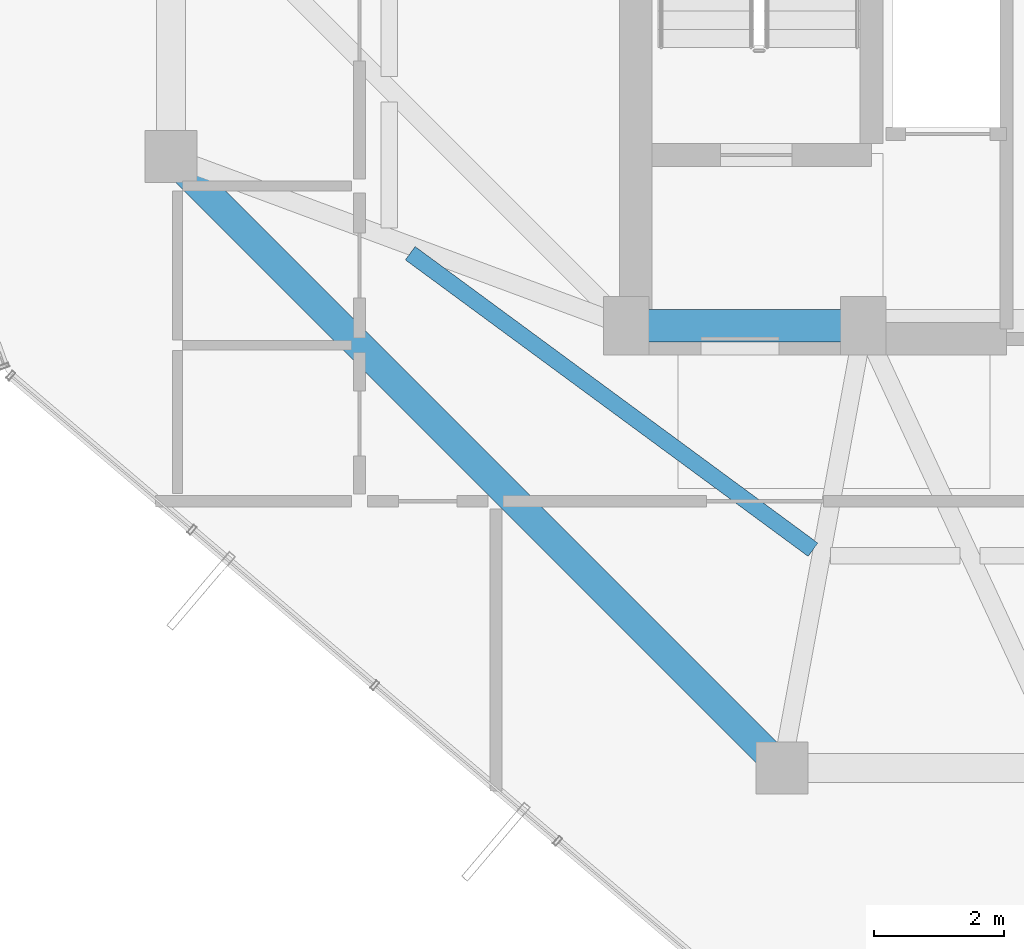
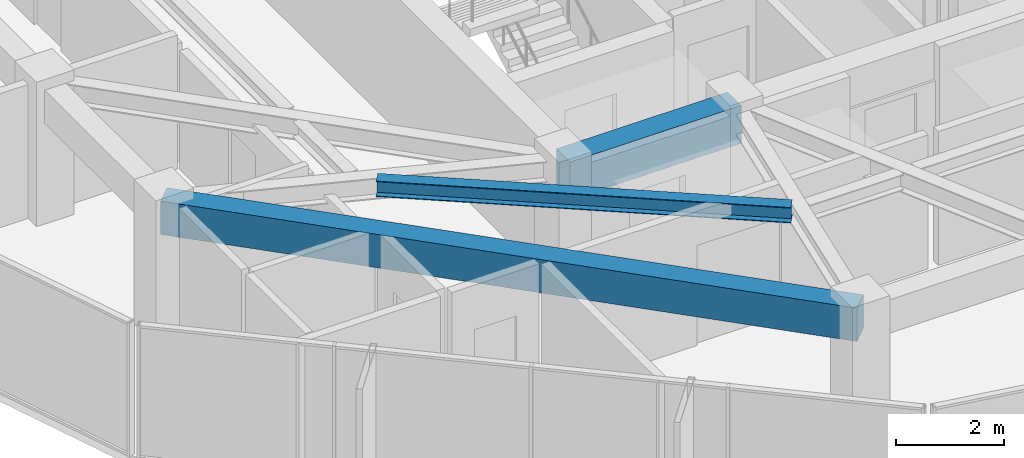
# One storey, part 7 of 29: 3 beams.
"""IFC4 building model written with IfcOpenShell, lengths in metres."""

from ifc_helpers import new_model, si_unit, direction, frame, origin, origin_2d, place, context, subcontext, project, spatial, rectangle, i_section, extrude, material, material_profile, profile_set, type_object, element, save


model = new_model("IFC4")

# Units and contexts
model_context = context("Model", 3, precision=1e-05, world=origin(), true_north=direction((0.0, 1.0)))
body_context = subcontext(model_context, "Body", "Model", "MODEL_VIEW")
ifc_project = project(units=[si_unit("LENGTHUNIT", "METRE"), si_unit("AREAUNIT", "SQUARE_METRE"), si_unit("VOLUMEUNIT", "CUBIC_METRE"), si_unit("PLANEANGLEUNIT", "RADIAN"), si_unit("MASSUNIT", "GRAM", prefix="KILO")], contexts=[model_context])

# Site, building, storey
site_placement = place(None, origin())
site = spatial("IfcSite", under=ifc_project, at=site_placement, CompositionType="ELEMENT")
building_placement = place(site_placement, origin())
building = spatial("IfcBuilding", under=site, at=building_placement, Name="Veraguas Prism Commons", CompositionType="ELEMENT")
storey_placement = place(building_placement, frame((0.0, 0.0, 244.75)))
storey = spatial("IfcBuildingStorey", under=building, at=storey_placement, Name="L69", CompositionType="ELEMENT", Elevation=244.75)

# Beams
ifc_material_1 = material(Name="Concrete C50/60", Category="concrete")
ifc_material_profile_1 = material_profile(ifc_material_1, rectangle(XDim=0.5, YDim=0.85009765625, at=origin_2d()), Name="RC500X850")
ifc_profile_set_1 = profile_set([ifc_material_profile_1], Name="Concrete C50/60")
beam_type_1 = type_object("IfcBeamType", Name="Core Coupling Beam RC 500x850", PredefinedType="BEAM", material=ifc_profile_set_1)
beam_1_placement = place(storey_placement, frame((17.199951171875, 17.0, 2.590087890625), z_axis=(1.0, 0.0, 0.0), x_axis=(0.0, 1.0, 0.0)))
element("IfcBeam", 1, at=beam_1_placement, inside=storey, type_object=beam_type_1, Name="Core Coupling Beam L69-CRS1", PredefinedType="BEAM", context=body_context, shape_type="SweptSolid", body=[
    extrude(rectangle(XDim=0.5, YDim=0.85009765625, at=origin_2d()), origin(), (0.0, 0.0, 1.0), 3.650146484375),
])
ifc_material_profile_2 = material_profile(ifc_material_1, rectangle(XDim=0.449951171875, YDim=0.75, at=origin_2d()), Name="RC450X750")
ifc_profile_set_2 = profile_set([ifc_material_profile_2], Name="Concrete C50/60")
beam_type_2 = type_object("IfcBeamType", Name="Perimeter Spandrel Upper RC 450x750", PredefinedType="SPANDREL", material=ifc_profile_set_2)
beam_2_placement = place(storey_placement, frame((10.199951171875, 19.60009765625, 2.639892578125), z_axis=(0.707106781187, -0.707106781187, 0.0), x_axis=(0.707106781187, 0.707106781187, 0.0)))
element("IfcBeam", 2, at=beam_2_placement, inside=storey, type_object=beam_type_2, Name="Perimeter Spandrel Beam L69-SP09", PredefinedType="SPANDREL", context=body_context, shape_type="SweptSolid", body=[
    extrude(rectangle(XDim=0.449951171875, YDim=0.75, at=origin_2d()), origin(), (0.0, 0.0, 1.0), 13.293701171875),
])
ifc_material_2 = material(Name="Steel ASTM A992 Grade 50", Category="steel")
ifc_material_profile_3 = material_profile(ifc_material_2, i_section(OverallWidth=0.25390625, OverallDepth=0.35302734375, WebThickness=0.009521484375, FlangeThickness=0.016357421875, at=origin_2d()), Name="W360X91")
ifc_profile_set_3 = profile_set([ifc_material_profile_3], Name="Steel ASTM A992 Grade 50")
beam_type_3 = type_object("IfcBeamType", Name="Upper Floor Joist W360x91", PredefinedType="JOIST", material=ifc_profile_set_3)
beam_3_placement = place(storey_placement, frame((13.881103515625, 18.11572265625, 2.83837890625), z_axis=(0.805319835229, -0.592840588174, 0.0), x_axis=(0.592840588174, 0.805319835229, 0.0)))
element("IfcBeam", 3, at=beam_3_placement, inside=storey, type_object=beam_type_3, Name="Composite Floor Joist L69-JS09", PredefinedType="JOIST", context=body_context, shape_type="SweptSolid", body=[
    extrude(i_section(OverallWidth=0.25390625, OverallDepth=0.35302734375, WebThickness=0.009521484375, FlangeThickness=0.016357421875, at=origin_2d()), origin(), (0.0, 0.0, 1.0), 7.69140625),
])

save(model, "model.ifc")
